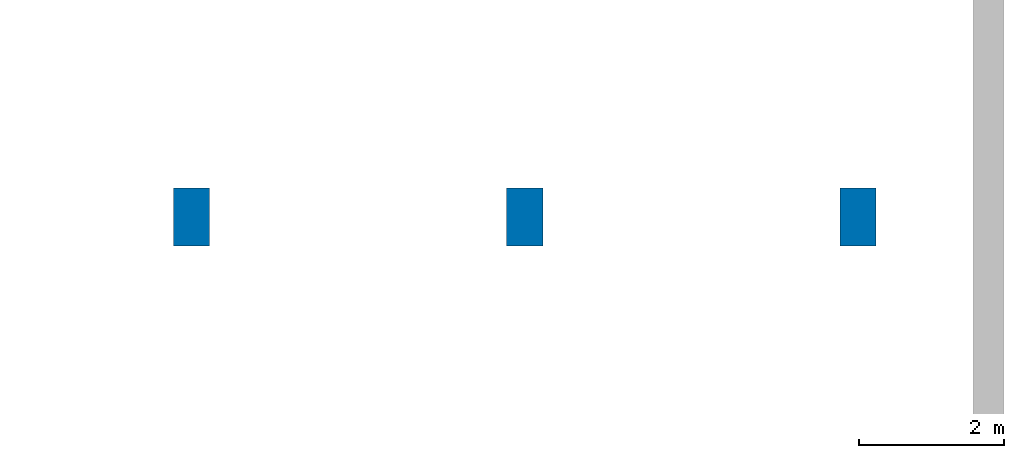
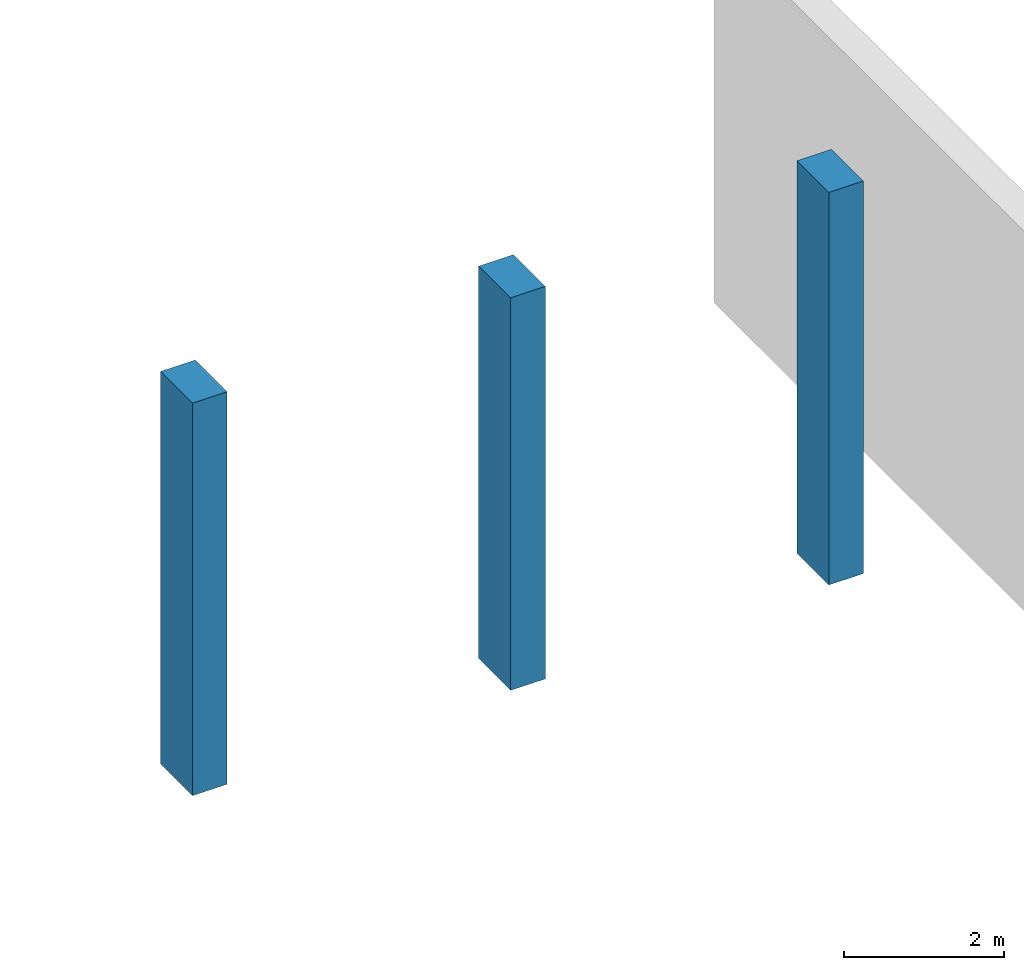
# One storey, part 5 of 54: 3 columns.
"""IFC4 building model written with IfcOpenShell, lengths in metres."""

from ifc_helpers import new_model, si_unit, direction, frame, origin, origin_2d, place, context, subcontext, project, spatial, rectangle, extrude, material, material_profile, profile_set, type_object, element, save


model = new_model("IFC4")

# Units and contexts
model_context = context("Model", 3, precision=1e-05, world=origin(), true_north=direction((0.0, 1.0)))
body_context = subcontext(model_context, "Body", "Model", "MODEL_VIEW")
ifc_project = project(units=[si_unit("LENGTHUNIT", "METRE"), si_unit("AREAUNIT", "SQUARE_METRE"), si_unit("VOLUMEUNIT", "CUBIC_METRE"), si_unit("PLANEANGLEUNIT", "RADIAN"), si_unit("MASSUNIT", "GRAM", prefix="KILO")], contexts=[model_context])

# Site, building, storey
site_placement = place(None, origin())
site = spatial("IfcSite", under=ifc_project, at=site_placement, CompositionType="ELEMENT")
building_placement = place(site_placement, origin())
building = spatial("IfcBuilding", under=site, at=building_placement, Name="Tlacozan Convention Centre", CompositionType="ELEMENT")
storey_placement = place(building_placement, frame((0.0, 0.0, 11.39990234375)))
storey = spatial("IfcBuildingStorey", under=building, at=storey_placement, Name="L02", CompositionType="ELEMENT", Elevation=11.39990234375)

# Columns
ifc_material = material(Name="Concrete C40/50", Category="concrete")
ifc_material_profile = material_profile(ifc_material, rectangle(XDim=0.5, YDim=0.800048828125, at=origin_2d()), Name="RC 500x800")
ifc_profile_set = profile_set([ifc_material_profile], Name="Concrete C40/50")
column_type = type_object("IfcColumnType", Name="Pilaster Cantera RC 500x800", PredefinedType="PILASTER", material=ifc_profile_set)
for number, where, z_axis, x_axis, name in (
    (1, (169.0, 56.199951171875, 0.0), (0.0, 0.0, 1.0), (1.0, 0.0, 0.0), "L02 Column 839"),
    (2, (173.60009765625, 56.199951171875, 0.0), (0.0, 0.0, 1.0), (1.0, 0.0, 0.0), "L02 Column 850"),
    (3, (178.199951171875, 56.199951171875, 0.0), (0.0, 0.0, 1.0), (1.0, 0.0, 0.0), "L02 Column 861"),
):
    element("IfcColumn", number, at=place(storey_placement, frame(where, z_axis=z_axis, x_axis=x_axis)), inside=storey, type_object=column_type, Name=name, PredefinedType="PILASTER", context=body_context, shape_type="SweptSolid", body=[
        extrude(rectangle(XDim=0.5, YDim=0.800048828125, at=origin_2d()), origin(), (0.0, 0.0, 1.0), 6.0),
    ])

save(model, "model.ifc")
